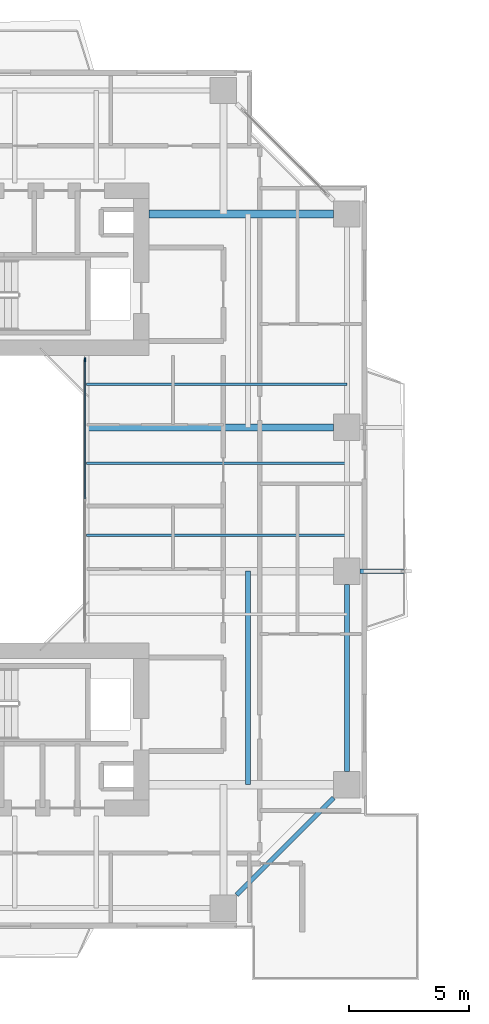
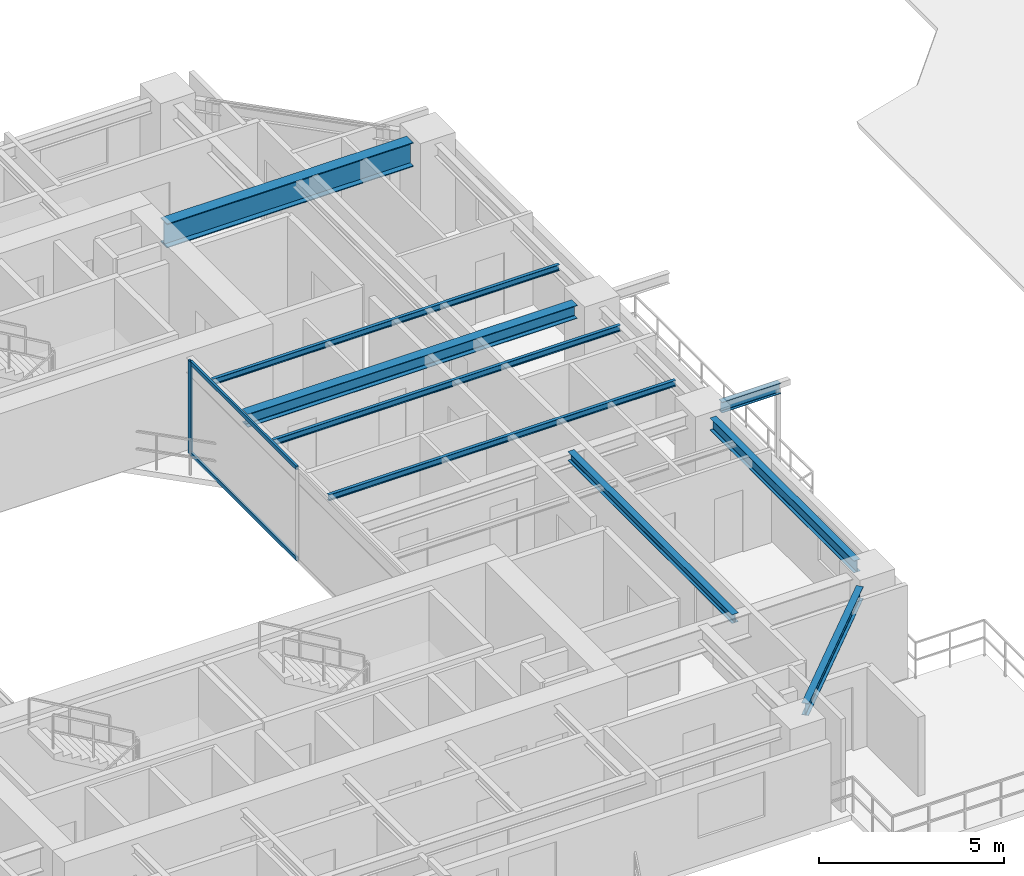
# One storey, part 9 of 28: 9 beams, 3 members, 1 element without a shape of its own.
"""IFC4 building model written with IfcOpenShell, lengths in metres."""

from ifc_helpers import new_model, si_unit, direction, frame, origin, origin_2d, place, context, subcontext, project, spatial, rectangle, i_section, extrude, source, transform, mapped, material, layer, layer_set, material_profile, profile_set, type_object, element, aggregate, save


model = new_model("IFC4")

# Units and contexts
model_context = context("Model", 3, precision=1e-05, world=origin(), true_north=direction((0.0, 1.0)))
body_context = subcontext(model_context, "Body", "Model", "MODEL_VIEW")
ifc_project = project(units=[si_unit("LENGTHUNIT", "METRE"), si_unit("AREAUNIT", "SQUARE_METRE"), si_unit("VOLUMEUNIT", "CUBIC_METRE"), si_unit("PLANEANGLEUNIT", "RADIAN"), si_unit("MASSUNIT", "GRAM", prefix="KILO"), si_unit("THERMODYNAMICTEMPERATUREUNIT", "KELVIN"), si_unit("POWERUNIT", "WATT")], contexts=[model_context])

# Site, building, storey
site_placement = place(None, origin())
site = spatial("IfcSite", under=ifc_project, at=site_placement, CompositionType="ELEMENT")
building_placement = place(site_placement, origin())
building = spatial("IfcBuilding", under=site, at=building_placement, Name="Qiaomeng Ring Towers", CompositionType="ELEMENT")
storey_placement = place(building_placement, frame((0.0, 0.0, 113.25)))
storey = spatial("IfcBuildingStorey", under=building, at=storey_placement, Name="L32", CompositionType="ELEMENT", Elevation=113.25)

# Beams
ifc_material_1 = material(Name="Steel Q355B", Category="steel")
ifc_material_profile_1 = material_profile(ifc_material_1, i_section(OverallWidth=0.199951171875, OverallDepth=0.39990234375, WebThickness=0.008056640625, FlangeThickness=0.012939453125, FilletRadius=0.01611328125, at=origin_2d()), Name="HN 400x200x8x13")
ifc_profile_set_1 = profile_set([ifc_material_profile_1], Name="Steel Q355B")
beam_type_1 = type_object("IfcBeamType", Name="STR-BM-HN400", PredefinedType="SPANDREL", material=ifc_profile_set_1)
shared_shape_1 = source(origin(), body_context, "Body", "SweptSolid", [
    extrude(i_section(OverallWidth=0.199951171875, OverallDepth=0.39990234375, WebThickness=0.008056640625, FlangeThickness=0.012939453125, FilletRadius=0.01611328125, at=origin_2d()), origin(), (0.0, 0.0, 1.0), 5.729736328125),
])
beam_1_placement = place(storey_placement, frame((31.44921875, 6.499267578125, 2.8701171875), z_axis=(0.707106781187, 0.707106781187, 0.0), x_axis=(-0.707106781187, 0.707106781187, 0.0)))
element("IfcBeam", 1, at=beam_1_placement, inside=storey, type_object=beam_type_1, Name="L32 beam STR-SP-L32-T1-S2-E1", PredefinedType="SPANDREL", context=body_context, shape_type="MappedRepresentation", body=[
    mapped(shared_shape_1, transform((0.0, 0.0, 0.0), x_axis=(1.0, 0.0, 0.0), y_axis=(0.0, 1.0, 0.0), z_axis=(0.0, 0.0, 1.0), scale=1.0)),
])
shared_shape_2 = source(origin(), body_context, "Body", "SweptSolid", [
    extrude(i_section(OverallWidth=0.199951171875, OverallDepth=0.39990234375, WebThickness=0.008056640625, FlangeThickness=0.012939453125, FilletRadius=0.01611328125, at=origin_2d()), origin(), (0.0, 0.0, 1.0), 7.802001953125),
])
beam_2_placement = place(storey_placement, frame((36.050048828125, 11.64892578125, 2.8701171875), z_axis=(0.0, 1.0, 0.0), x_axis=(-1.0, 0.0, 0.0)))
element("IfcBeam", 2, at=beam_2_placement, inside=storey, type_object=beam_type_1, Name="L32 beam STR-SP-L32-T1-E1-E2", PredefinedType="SPANDREL", context=body_context, shape_type="MappedRepresentation", body=[
    mapped(shared_shape_2, transform((0.0, 0.0, 0.0), x_axis=(1.0, 0.0, 0.0), y_axis=(0.0, 1.0, 0.0), z_axis=(0.0, 0.0, 1.0), scale=1.0)),
])
ifc_material_2 = material(Name="Steel Q390GJC", Category="steel")
ifc_material_profile_2 = material_profile(ifc_material_2, i_section(OverallWidth=0.35009765625, OverallDepth=0.800048828125, WebThickness=0.01611328125, FlangeThickness=0.028076171875, at=origin_2d()), Name="WH 800x350x16x28")
ifc_profile_set_2 = profile_set([ifc_material_profile_2], Name="Steel Q390GJC")
beam_type_2 = type_object("IfcBeamType", Name="STR-BM-WH800", PredefinedType="BEAM", material=ifc_profile_set_2)
shared_shape_3 = source(origin(), body_context, "Body", "SweptSolid", [
    extrude(i_section(OverallWidth=0.35009765625, OverallDepth=0.800048828125, WebThickness=0.01611328125, FlangeThickness=0.028076171875, at=origin_2d()), origin(), (0.0, 0.0, 1.0), 7.700927734375),
])
beam_3_placement = place(storey_placement, frame((27.800048828125, 34.89990234375, 2.669921875), z_axis=(1.0, 0.0, 0.0), x_axis=(0.0, 1.0, 0.0)))
element("IfcBeam", 3, at=beam_3_placement, inside=storey, type_object=beam_type_2, Name="L32 beam STR-BM-L32-T1-RAD-E4", PredefinedType="BEAM", context=body_context, shape_type="MappedRepresentation", body=[
    mapped(shared_shape_3, transform((0.0, 0.0, 0.0), x_axis=(1.0, 0.0, 0.0), y_axis=(0.0, 1.0, 0.0), z_axis=(0.0, 0.0, 1.0), scale=1.0)),
])
ifc_material_profile_3 = material_profile(ifc_material_1, i_section(OverallWidth=0.300048828125, OverallDepth=0.43994140625, WebThickness=0.010986328125, FlangeThickness=0.01806640625, FilletRadius=0.02392578125, at=origin_2d()), Name="HM 440x300x11x18")
ifc_profile_set_3 = profile_set([ifc_material_profile_3], Name="Steel Q355B")
beam_type_3 = type_object("IfcBeamType", Name="STR-BM-HM440", PredefinedType="BEAM", material=ifc_profile_set_3)
shared_shape_4 = source(origin(), body_context, "Body", "SweptSolid", [
    extrude(i_section(OverallWidth=0.300048828125, OverallDepth=0.43994140625, WebThickness=0.010986328125, FlangeThickness=0.01806640625, FilletRadius=0.02392578125, at=origin_2d()), origin(), (0.0, 0.0, 1.0), 10.301025390625),
])
beam_4_placement = place(storey_placement, frame((25.199951171875, 26.0, 2.85009765625), z_axis=(1.0, 0.0, 0.0), x_axis=(0.0, 1.0, 0.0)))
element("IfcBeam", 4, at=beam_4_placement, inside=storey, type_object=beam_type_3, Name="L32 beam STR-BM-L32-T1-RAD-E3", PredefinedType="BEAM", context=body_context, shape_type="MappedRepresentation", body=[
    mapped(shared_shape_4, transform((0.0, 0.0, 0.0), x_axis=(1.0, 0.0, 0.0), y_axis=(0.0, 1.0, 0.0), z_axis=(0.0, 0.0, 1.0), scale=1.0)),
])
ifc_material_profile_4 = material_profile(ifc_material_1, i_section(OverallWidth=0.175048828125, OverallDepth=0.35009765625, WebThickness=0.007080078125, FlangeThickness=0.010986328125, FilletRadius=0.013916015625, at=origin_2d()), Name="HN 350x175x7x11")
ifc_profile_set_4 = profile_set([ifc_material_profile_4], Name="Steel Q355B")
beam_type_4 = type_object("IfcBeamType", Name="STR-BM-HN350", PredefinedType="JOIST", material=ifc_profile_set_4)
shared_shape_5 = source(origin(), body_context, "Body", "SweptSolid", [
    extrude(i_section(OverallWidth=0.175048828125, OverallDepth=0.35009765625, WebThickness=0.007080078125, FlangeThickness=0.010986328125, FilletRadius=0.013916015625, at=origin_2d()), origin(), (0.0, 0.0, 1.0), 1.8408203125),
])
beam_5_placement = place(storey_placement, frame((36.59912109375, 20.0, 2.89501953125), z_axis=(1.0, 0.0, 0.0), x_axis=(0.0, 1.0, 0.0)))
element("IfcBeam", 5, at=beam_5_placement, inside=storey, type_object=beam_type_4, Name="L32 beam STR-BALBM-L32-E2", PredefinedType="JOIST", context=body_context, shape_type="MappedRepresentation", body=[
    mapped(shared_shape_5, transform((0.0, 0.0, 0.0), x_axis=(1.0, 0.0, 0.0), y_axis=(0.0, 1.0, 0.0), z_axis=(0.0, 0.0, 1.0), scale=1.0)),
])
ifc_material_profile_5 = material_profile(ifc_material_1, i_section(OverallWidth=0.10009765625, OverallDepth=0.199951171875, WebThickness=0.005615234375, FlangeThickness=0.008056640625, FilletRadius=0.010986328125, at=origin_2d()), Name="HN 200x100x5.5x8")
ifc_profile_set_5 = profile_set([ifc_material_profile_5], Name="Steel Q355B")
beam_type_5 = type_object("IfcBeamType", Name="STR-BM-HN200", PredefinedType="JOIST", material=ifc_profile_set_5)
shared_shape_6 = source(origin(), body_context, "Body", "SweptSolid", [
    extrude(i_section(OverallWidth=0.10009765625, OverallDepth=0.199951171875, WebThickness=0.005615234375, FlangeThickness=0.008056640625, FilletRadius=0.010986328125, at=origin_2d()), origin(), (0.0, 0.0, 1.0), 10.85009765625),
])
for number, where, z_axis, x_axis, name in (
    (6, (25.199951171875, 21.5, 2.969970703125), (1.0, 0.0, 0.0), (0.0, 1.0, 0.0), "L32 beam STR-JST-L32-T1E-2"),
    (7, (25.199951171875, 24.5, 2.969970703125), (1.0, 0.0, 0.0), (0.0, 1.0, 0.0), "L32 beam STR-JST-L32-T1E-3"),
    (8, (25.199951171875, 27.800048828125, 2.969970703125), (1.0, 0.0, 0.0), (0.0, 1.0, 0.0), "L32 beam STR-JST-L32-T1E-4"),
):
    element("IfcBeam", number, at=place(storey_placement, frame(where, z_axis=z_axis, x_axis=x_axis)), inside=storey, type_object=beam_type_5, Name=name, PredefinedType="JOIST", context=body_context, shape_type="MappedRepresentation", body=[
        mapped(shared_shape_6, transform((0.0, 0.0, 0.0), x_axis=(1.0, 0.0, 0.0), y_axis=(0.0, 1.0, 0.0), z_axis=(0.0, 0.0, 1.0), scale=1.0)),
    ])
ifc_material_profile_6 = material_profile(ifc_material_1, i_section(OverallWidth=0.199951171875, OverallDepth=0.2939453125, WebThickness=0.008056640625, FlangeThickness=0.011962890625, FilletRadius=0.01806640625, at=origin_2d()), Name="HM 294x200x8x12")
ifc_profile_set_6 = profile_set([ifc_material_profile_6], Name="Steel Q355B")
beam_type_6 = type_object("IfcBeamType", Name="STR-BM-HM294", PredefinedType="JOIST", material=ifc_profile_set_6)
shared_shape_7 = source(origin(), body_context, "Body", "SweptSolid", [
    extrude(i_section(OverallWidth=0.199951171875, OverallDepth=0.2939453125, WebThickness=0.008056640625, FlangeThickness=0.011962890625, FilletRadius=0.01806640625, at=origin_2d()), origin(), (0.0, 0.0, 1.0), 8.89990234375),
])
beam_6_placement = place(storey_placement, frame((31.925048828125, 11.10009765625, 2.923095703125), z_axis=(0.0, 1.0, 0.0), x_axis=(-1.0, 0.0, 0.0)))
element("IfcBeam", 9, at=beam_6_placement, inside=storey, type_object=beam_type_6, Name="L32 beam STR-JST-L32-T1C-ES", PredefinedType="JOIST", context=body_context, shape_type="MappedRepresentation", body=[
    mapped(shared_shape_7, transform((0.0, 0.0, 0.0), x_axis=(1.0, 0.0, 0.0), y_axis=(0.0, 1.0, 0.0), z_axis=(0.0, 0.0, 1.0), scale=1.0)),
])

# Curtain wall, members
ifc_material_3 = material(Name="Fluorocarbon dark-grey aluminium", Category="aluminium")
ifc_layer = layer(ifc_material_3, 0.139892578125, Name="Fluorocarbon dark-grey aluminium")
ifc_layer_set = layer_set([ifc_layer], Name="Fluorocarbon dark-grey aluminium")
curtain_wall_type = type_object("IfcCurtainWallType", Name="ARC-CW-4", PredefinedType="NOTDEFINED", material=ifc_layer_set)
curtain_wall_placement = place(storey_placement, origin())
curtain_wall = element("IfcCurtainWall", 10, at=curtain_wall_placement, inside=storey, type_object=curtain_wall_type, Name="L32 Curtain Wall CW4", PredefinedType="NOTDEFINED")
ifc_material_profile_7 = material_profile(ifc_material_3, rectangle(XDim=0.06494140625, YDim=0.159912109375, at=origin_2d()), Name="ALU MULL 65x160")
ifc_profile_set_7 = profile_set([ifc_material_profile_7], Name="Fluorocarbon dark-grey aluminium")
member_type_1 = type_object("IfcMemberType", Name="ARC-CWM-140", PredefinedType="MULLION", material=ifc_profile_set_7)
shared_shape_8 = source(origin(), body_context, "Body", "SweptSolid", [
    extrude(rectangle(XDim=0.06494140625, YDim=0.159912109375, at=origin_2d()), origin(), (0.0, 0.0, 1.0), 3.070068359375),
])
member_1_placement = place(storey_placement, frame((25.1201171875, 28.8173828125, 0.0), z_axis=(0.0, 0.0, 1.0), x_axis=(-1.0, 0.0, 0.0)))
member_1 = element("IfcMember", 11, at=member_1_placement, type_object=member_type_1, Name="CW4 mullion 3", PredefinedType="MULLION", context=body_context, shape_type="MappedRepresentation", body=[
    mapped(shared_shape_8, transform((0.0, 0.0, 0.0), x_axis=(1.0, 0.0, 0.0), y_axis=(0.0, 1.0, 0.0), z_axis=(0.0, 0.0, 1.0), scale=1.0)),
])
ifc_material_profile_8 = material_profile(ifc_material_3, rectangle(XDim=0.06494140625, YDim=0.1298828125, at=origin_2d()), Name="ALU TRAN 65x130")
ifc_profile_set_8 = profile_set([ifc_material_profile_8], Name="Fluorocarbon dark-grey aluminium")
member_type_2 = type_object("IfcMemberType", Name="ARC-CWT-120", PredefinedType="USERDEFINED", material=ifc_profile_set_8)
shared_shape_9 = source(origin(), body_context, "Body", "SweptSolid", [
    extrude(rectangle(XDim=0.06494140625, YDim=0.1298828125, at=origin_2d()), origin(), (0.0, 0.0, 1.0), 5.75244140625),
])
member_2_placement = place(storey_placement, frame((25.1201171875, 23.032470703125, 0.032470703125), z_axis=(0.0, 1.0, 0.0), x_axis=(-1.0, 0.0, 0.0)))
member_2 = element("IfcMember", 12, at=member_2_placement, type_object=member_type_2, Name="CW4 transom 2.1", ObjectType="TRANSOM", PredefinedType="USERDEFINED", context=body_context, shape_type="MappedRepresentation", body=[
    mapped(shared_shape_9, transform((0.0, 0.0, 0.0), x_axis=(1.0, 0.0, 0.0), y_axis=(0.0, 1.0, 0.0), z_axis=(0.0, 0.0, 1.0), scale=1.0)),
])
member_3_placement = place(storey_placement, frame((25.1201171875, 23.032470703125, 3.03759765625), z_axis=(0.0, 1.0, 0.0), x_axis=(-1.0, 0.0, 0.0)))
member_3 = element("IfcMember", 13, at=member_3_placement, type_object=member_type_2, Name="CW4 transom 2.2", ObjectType="TRANSOM", PredefinedType="USERDEFINED", context=body_context, shape_type="MappedRepresentation", body=[
    mapped(shared_shape_9, transform((0.0, 0.0, 0.0), x_axis=(1.0, 0.0, 0.0), y_axis=(0.0, 1.0, 0.0), z_axis=(0.0, 0.0, 1.0), scale=1.0)),
])
aggregate(curtain_wall, [member_1, member_2, member_3])

save(model, "model.ifc")
